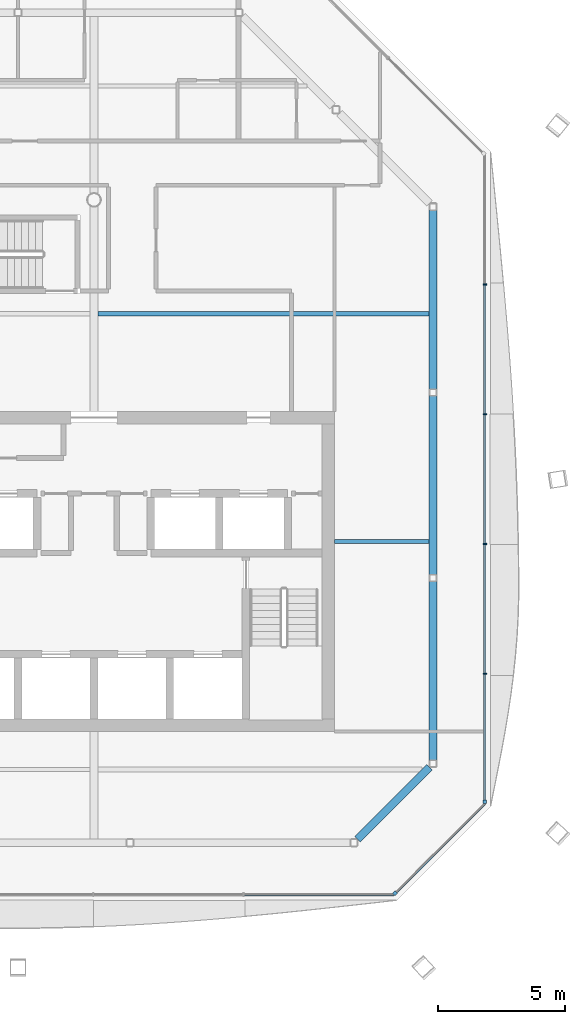
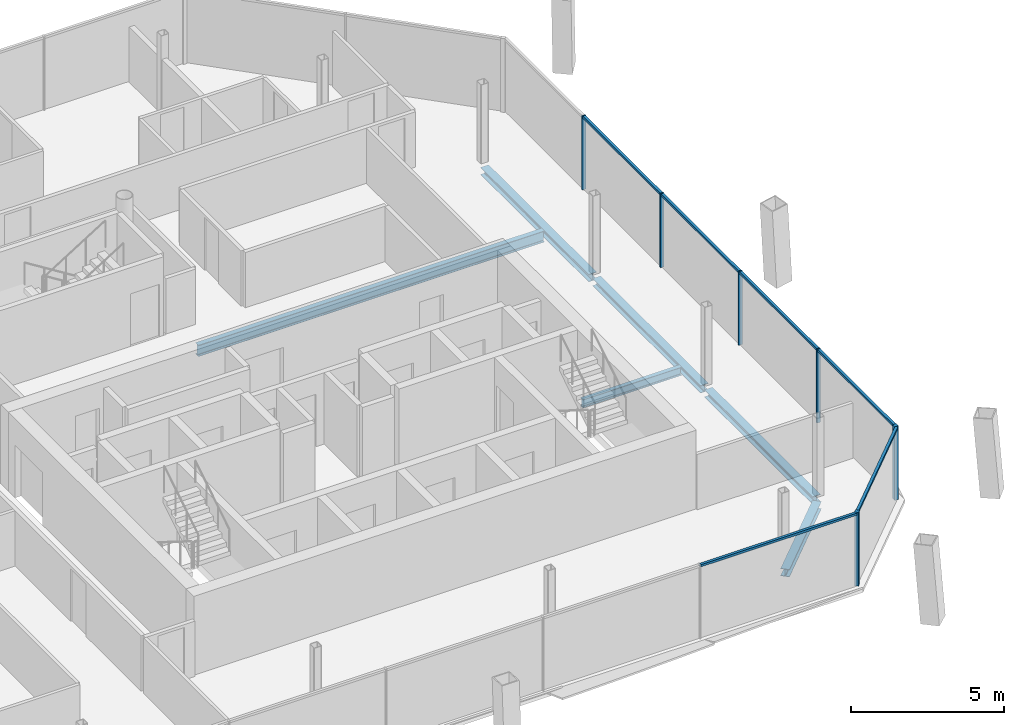
# One storey, part 7 of 17: 12 members, 6 beams, 3 elements without a shape of their own.
"""IFC4 building model written with IfcOpenShell, lengths in metres."""

from ifc_helpers import new_model, si_unit, direction, frame, origin, origin_2d, place, context, subcontext, project, spatial, rectangle, i_section, extrude, material, material_profile, profile_set, type_object, element, aggregate, save


model = new_model("IFC4")

# Units and contexts
model_context = context("Model", 3, precision=1e-05, world=origin(), true_north=direction((0.0, 1.0)))
body_context = subcontext(model_context, "Body", "Model", "MODEL_VIEW")
ifc_project = project(units=[si_unit("LENGTHUNIT", "METRE"), si_unit("AREAUNIT", "SQUARE_METRE"), si_unit("VOLUMEUNIT", "CUBIC_METRE"), si_unit("PLANEANGLEUNIT", "RADIAN"), si_unit("MASSUNIT", "GRAM", prefix="KILO")], contexts=[model_context])

# Site, building, storey
site_placement = place(None, origin())
site = spatial("IfcSite", under=ifc_project, at=site_placement, CompositionType="ELEMENT")
building_placement = place(site_placement, origin())
building = spatial("IfcBuilding", under=site, at=building_placement, Name="Tskaro Facet Tower", CompositionType="ELEMENT")
storey_placement = place(building_placement, frame((0.0, 0.0, 229.800048828125)))
storey = spatial("IfcBuildingStorey", under=building, at=storey_placement, Name="L59", CompositionType="ELEMENT", Elevation=229.800048828125)

# Curtain wall, member
ifc_material_1 = material(Name="Bronze anodised aluminium 6063-T6", Category="aluminium")
curtain_wall_type = type_object("IfcCurtainWallType", Name="Bronze residence curtain wall (FW3)", PredefinedType="NOTDEFINED", material=ifc_material_1)
curtain_wall_1_placement = place(storey_placement, origin())
curtain_wall_1 = element("IfcCurtainWall", 1, at=curtain_wall_1_placement, inside=storey, type_object=curtain_wall_type, Name="FW3 south-east facet L59", PredefinedType="NOTDEFINED")
ifc_material_profile_1 = material_profile(ifc_material_1, rectangle(XDim=0.139892578125, YDim=0.139892578125, at=origin_2d()), Name="Corner post 140x140")
ifc_profile_set_1 = profile_set([ifc_material_profile_1], Name="Bronze anodised aluminium 6063-T6")
member_type_1 = type_object("IfcMemberType", Name="FW3 bronze corner post 140x140", PredefinedType="MULLION", material=ifc_profile_set_1)
member_1_placement = place(storey_placement, frame((11.8935546875, -18.387451171875, 0.0), z_axis=(0.0, 0.0, 1.0), x_axis=(0.707106781187, 0.707106781187, 0.0)))
member_1 = element("IfcMember", 2, at=member_1_placement, type_object=member_type_1, Name="FW3 south-east corner post", PredefinedType="MULLION", context=body_context, shape_type="SweptSolid", body=[
    extrude(rectangle(XDim=0.139892578125, YDim=0.139892578125, at=origin_2d()), origin(), (0.0, 0.0, 1.0), 2.949951171875),
])

# Curtain wall, members
curtain_wall_2_placement = place(storey_placement, origin())
curtain_wall_2 = element("IfcCurtainWall", 3, at=curtain_wall_2_placement, inside=storey, type_object=curtain_wall_type, Name="FW3 east facet L59", PredefinedType="NOTDEFINED")
member_2_placement = place(storey_placement, frame((15.43701171875, -14.77392578125, 0.0), z_axis=(0.0, 0.0, 1.0), x_axis=(0.0, 1.0, 0.0)))
member_2 = element("IfcMember", 4, at=member_2_placement, type_object=member_type_1, Name="FW3 east corner post", PredefinedType="MULLION", context=body_context, shape_type="SweptSolid", body=[
    extrude(rectangle(XDim=0.139892578125, YDim=0.139892578125, at=origin_2d()), origin(), (0.0, 0.0, 1.0), 2.949951171875),
])
ifc_material_profile_2 = material_profile(ifc_material_1, rectangle(XDim=0.050048828125, YDim=0.139892578125, at=origin_2d()), Name="Mullion 50x140")
ifc_profile_set_2 = profile_set([ifc_material_profile_2], Name="Bronze anodised aluminium 6063-T6")
member_type_2 = type_object("IfcMemberType", Name="FW3 bronze mullion 50x140", PredefinedType="MULLION", material=ifc_profile_set_2)
member_3_placement = place(storey_placement, frame((15.43701171875, -9.719482421875, 0.0), z_axis=(0.0, 0.0, 1.0), x_axis=(0.0, 1.0, 0.0)))
member_3 = element("IfcMember", 5, at=member_3_placement, type_object=member_type_2, Name="FW3 east mullion 1", PredefinedType="MULLION", context=body_context, shape_type="SweptSolid", body=[
    extrude(rectangle(XDim=0.050048828125, YDim=0.139892578125, at=origin_2d()), origin(), (0.0, 0.0, 1.0), 2.949951171875),
])
member_4_placement = place(storey_placement, frame((15.43701171875, -4.5947265625, 0.0), z_axis=(0.0, 0.0, 1.0), x_axis=(0.0, 1.0, 0.0)))
member_4 = element("IfcMember", 6, at=member_4_placement, type_object=member_type_2, Name="FW3 east mullion 2", PredefinedType="MULLION", context=body_context, shape_type="SweptSolid", body=[
    extrude(rectangle(XDim=0.050048828125, YDim=0.139892578125, at=origin_2d()), origin(), (0.0, 0.0, 1.0), 2.949951171875),
])
member_5_placement = place(storey_placement, frame((15.43701171875, 0.52978515625, 0.0), z_axis=(0.0, 0.0, 1.0), x_axis=(0.0, 1.0, 0.0)))
member_5 = element("IfcMember", 7, at=member_5_placement, type_object=member_type_2, Name="FW3 east mullion 3", PredefinedType="MULLION", context=body_context, shape_type="SweptSolid", body=[
    extrude(rectangle(XDim=0.050048828125, YDim=0.139892578125, at=origin_2d()), origin(), (0.0, 0.0, 1.0), 2.949951171875),
])
member_6_placement = place(storey_placement, frame((15.43701171875, 5.654296875, 0.0), z_axis=(0.0, 0.0, 1.0), x_axis=(0.0, 1.0, 0.0)))
member_6 = element("IfcMember", 8, at=member_6_placement, type_object=member_type_2, Name="FW3 east mullion 4", PredefinedType="MULLION", context=body_context, shape_type="SweptSolid", body=[
    extrude(rectangle(XDim=0.050048828125, YDim=0.139892578125, at=origin_2d()), origin(), (0.0, 0.0, 1.0), 2.949951171875),
])

# Curtain wall, member
curtain_wall_3_placement = place(storey_placement, origin())
curtain_wall_3 = element("IfcCurtainWall", 9, at=curtain_wall_3_placement, inside=storey, type_object=curtain_wall_type, Name="FW3 south facet L59", PredefinedType="NOTDEFINED")
ifc_material_profile_3 = material_profile(ifc_material_1, rectangle(XDim=0.10009765625, YDim=0.090087890625, at=origin_2d()), Name="Transom 100x90")
ifc_profile_set_3 = profile_set([ifc_material_profile_3], Name="Bronze anodised aluminium 6063-T6")
member_type_3 = type_object("IfcMemberType", Name="FW3 bronze transom 100x90", PredefinedType="USERDEFINED", material=ifc_profile_set_3)
member_7_placement = place(storey_placement, frame((5.931396484375, -18.43701171875, 2.905029296875), z_axis=(1.0, 0.0, 0.0), x_axis=(0.0, 1.0, 0.0)))
member_7 = element("IfcMember", 10, at=member_7_placement, type_object=member_type_3, Name="FW3 south transom 5.1", ObjectType="TRANSOM", PredefinedType="USERDEFINED", context=body_context, shape_type="SweptSolid", body=[
    extrude(rectangle(XDim=0.10009765625, YDim=0.090087890625, at=origin_2d()), origin(), (0.0, 0.0, 1.0), 5.91259765625),
])
aggregate(curtain_wall_3, [member_7])

# Member
member_8_placement = place(storey_placement, frame((11.943115234375, -18.337890625, 2.905029296875), z_axis=(0.707106781187, 0.707106781187, 0.0), x_axis=(-0.707106781187, 0.707106781187, 0.0)))
member_8 = element("IfcMember", 11, at=member_8_placement, type_object=member_type_3, Name="FW3 south-east transom 1.1", ObjectType="TRANSOM", PredefinedType="USERDEFINED", context=body_context, shape_type="SweptSolid", body=[
    extrude(rectangle(XDim=0.10009765625, YDim=0.090087890625, at=origin_2d()), origin(), (0.0, 0.0, 1.0), 4.941162109375),
])

aggregate(curtain_wall_1, [member_1, member_8])

member_9_placement = place(storey_placement, frame((15.43701171875, -14.7041015625, 2.905029296875), z_axis=(0.0, 1.0, 0.0), x_axis=(-1.0, 0.0, 0.0)))
member_9 = element("IfcMember", 12, at=member_9_placement, type_object=member_type_3, Name="FW3 east transom 1.1", ObjectType="TRANSOM", PredefinedType="USERDEFINED", context=body_context, shape_type="SweptSolid", body=[
    extrude(rectangle(XDim=0.10009765625, YDim=0.090087890625, at=origin_2d()), origin(), (0.0, 0.0, 1.0), 4.959716796875),
])

member_10_placement = place(storey_placement, frame((15.43701171875, -9.6943359375, 2.905029296875), z_axis=(0.0, 1.0, 0.0), x_axis=(-1.0, 0.0, 0.0)))
member_10 = element("IfcMember", 13, at=member_10_placement, type_object=member_type_3, Name="FW3 east transom 2.1", ObjectType="TRANSOM", PredefinedType="USERDEFINED", context=body_context, shape_type="SweptSolid", body=[
    extrude(rectangle(XDim=0.10009765625, YDim=0.090087890625, at=origin_2d()), origin(), (0.0, 0.0, 1.0), 5.074462890625),
])

member_11_placement = place(storey_placement, frame((15.43701171875, -4.56982421875, 2.905029296875), z_axis=(0.0, 1.0, 0.0), x_axis=(-1.0, 0.0, 0.0)))
member_11 = element("IfcMember", 14, at=member_11_placement, type_object=member_type_3, Name="FW3 east transom 3.1", ObjectType="TRANSOM", PredefinedType="USERDEFINED", context=body_context, shape_type="SweptSolid", body=[
    extrude(rectangle(XDim=0.10009765625, YDim=0.090087890625, at=origin_2d()), origin(), (0.0, 0.0, 1.0), 5.07470703125),
])

member_12_placement = place(storey_placement, frame((15.43701171875, 0.5546875, 2.905029296875), z_axis=(0.0, 1.0, 0.0), x_axis=(-1.0, 0.0, 0.0)))
member_12 = element("IfcMember", 15, at=member_12_placement, type_object=member_type_3, Name="FW3 east transom 4.1", ObjectType="TRANSOM", PredefinedType="USERDEFINED", context=body_context, shape_type="SweptSolid", body=[
    extrude(rectangle(XDim=0.10009765625, YDim=0.090087890625, at=origin_2d()), origin(), (0.0, 0.0, 1.0), 5.07470703125),
])

aggregate(curtain_wall_2, [member_2, member_3, member_4, member_5, member_6, member_9, member_10, member_11, member_12])

# Beams
ifc_material_2 = material(Name="Steel S355J2", Category="steel")
ifc_material_profile_4 = material_profile(ifc_material_2, i_section(OverallWidth=0.300048828125, OverallDepth=0.300048828125, WebThickness=0.010986328125, FlangeThickness=0.01904296875, FilletRadius=0.027099609375, at=origin_2d()), Name="HE 300 B")
ifc_profile_set_4 = profile_set([ifc_material_profile_4], Name="Steel S355J2")
beam_type_1 = type_object("IfcBeamType", Name="HE 300 B ring beam", PredefinedType="BEAM", material=ifc_profile_set_4)
beam_1_placement = place(storey_placement, frame((10.40380859375, -16.255126953125, -0.2900390625), z_axis=(0.707106781187, 0.707106781187, 0.0), x_axis=(-0.707106781187, 0.707106781187, 0.0)))
element("IfcBeam", 16, at=beam_1_placement, inside=storey, type_object=beam_type_1, Name="HE 300 B EB4-5", PredefinedType="BEAM", context=body_context, shape_type="SweptSolid", body=[
    extrude(i_section(OverallWidth=0.300048828125, OverallDepth=0.300048828125, WebThickness=0.010986328125, FlangeThickness=0.01904296875, FilletRadius=0.027099609375, at=origin_2d()), origin(), (0.0, 0.0, 1.0), 4.032470703125),
])
beam_2_placement = place(storey_placement, frame((13.39111328125, -13.137939453125, -0.2900390625), z_axis=(0.0, 1.0, 0.0), x_axis=(-1.0, 0.0, 0.0)))
element("IfcBeam", 17, at=beam_2_placement, inside=storey, type_object=beam_type_1, Name="HE 300 B EB5-5", PredefinedType="BEAM", context=body_context, shape_type="SweptSolid", body=[
    extrude(i_section(OverallWidth=0.300048828125, OverallDepth=0.300048828125, WebThickness=0.010986328125, FlangeThickness=0.01904296875, FilletRadius=0.027099609375, at=origin_2d()), origin(), (0.0, 0.0, 1.0), 7.071044921875),
])
beam_3_placement = place(storey_placement, frame((13.39111328125, -5.806884765625, -0.2900390625), z_axis=(0.0, 1.0, 0.0), x_axis=(-1.0, 0.0, 0.0)))
element("IfcBeam", 18, at=beam_3_placement, inside=storey, type_object=beam_type_1, Name="HE 300 B EB6-5", PredefinedType="BEAM", context=body_context, shape_type="SweptSolid", body=[
    extrude(i_section(OverallWidth=0.300048828125, OverallDepth=0.300048828125, WebThickness=0.010986328125, FlangeThickness=0.01904296875, FilletRadius=0.027099609375, at=origin_2d()), origin(), (0.0, 0.0, 1.0), 7.07080078125),
])
beam_4_placement = place(storey_placement, frame((13.39111328125, 1.52392578125, -0.2900390625), z_axis=(0.0, 1.0, 0.0), x_axis=(-1.0, 0.0, 0.0)))
element("IfcBeam", 19, at=beam_4_placement, inside=storey, type_object=beam_type_1, Name="HE 300 B EB7-5", PredefinedType="BEAM", context=body_context, shape_type="SweptSolid", body=[
    extrude(i_section(OverallWidth=0.300048828125, OverallDepth=0.300048828125, WebThickness=0.010986328125, FlangeThickness=0.01904296875, FilletRadius=0.027099609375, at=origin_2d()), origin(), (0.0, 0.0, 1.0), 7.071044921875),
])
ifc_material_profile_5 = material_profile(ifc_material_2, i_section(OverallWidth=0.159912109375, OverallDepth=0.330078125, WebThickness=0.007568359375, FlangeThickness=0.011474609375, FilletRadius=0.01806640625, at=origin_2d()), Name="IPE 330")
ifc_profile_set_5 = profile_set([ifc_material_profile_5], Name="Steel S355J2")
beam_type_2 = type_object("IfcBeamType", Name="IPE 330 secondary beam", PredefinedType="BEAM", material=ifc_profile_set_5)
beam_5_placement = place(storey_placement, frame((9.5, -4.5, -0.304931640625), z_axis=(1.0, 0.0, 0.0), x_axis=(0.0, 1.0, 0.0)))
element("IfcBeam", 20, at=beam_5_placement, inside=storey, type_object=beam_type_2, Name="IPE 330 SB3a-2-5", PredefinedType="BEAM", context=body_context, shape_type="SweptSolid", body=[
    extrude(i_section(OverallWidth=0.159912109375, OverallDepth=0.330078125, WebThickness=0.007568359375, FlangeThickness=0.011474609375, FilletRadius=0.01806640625, at=origin_2d()), origin(), (0.0, 0.0, 1.0), 3.740966796875),
])
ifc_material_profile_6 = material_profile(ifc_material_2, i_section(OverallWidth=0.18994140625, OverallDepth=0.449951171875, WebThickness=0.009521484375, FlangeThickness=0.0146484375, FilletRadius=0.02099609375, at=origin_2d()), Name="IPE 450")
ifc_profile_set_6 = profile_set([ifc_material_profile_6], Name="Steel S355J2")
beam_type_3 = type_object("IfcBeamType", Name="IPE 450 long secondary beam", PredefinedType="BEAM", material=ifc_profile_set_6)
beam_6_placement = place(storey_placement, frame((0.14990234375, 4.5, -0.364990234375), z_axis=(1.0, 0.0, 0.0), x_axis=(0.0, 1.0, 0.0)))
element("IfcBeam", 21, at=beam_6_placement, inside=storey, type_object=beam_type_3, Name="IPE 450 LSB4a-3-5", PredefinedType="BEAM", context=body_context, shape_type="SweptSolid", body=[
    extrude(i_section(OverallWidth=0.18994140625, OverallDepth=0.449951171875, WebThickness=0.009521484375, FlangeThickness=0.0146484375, FilletRadius=0.02099609375, at=origin_2d()), origin(), (0.0, 0.0, 1.0), 13.091064453125),
])

save(model, "model.ifc")
